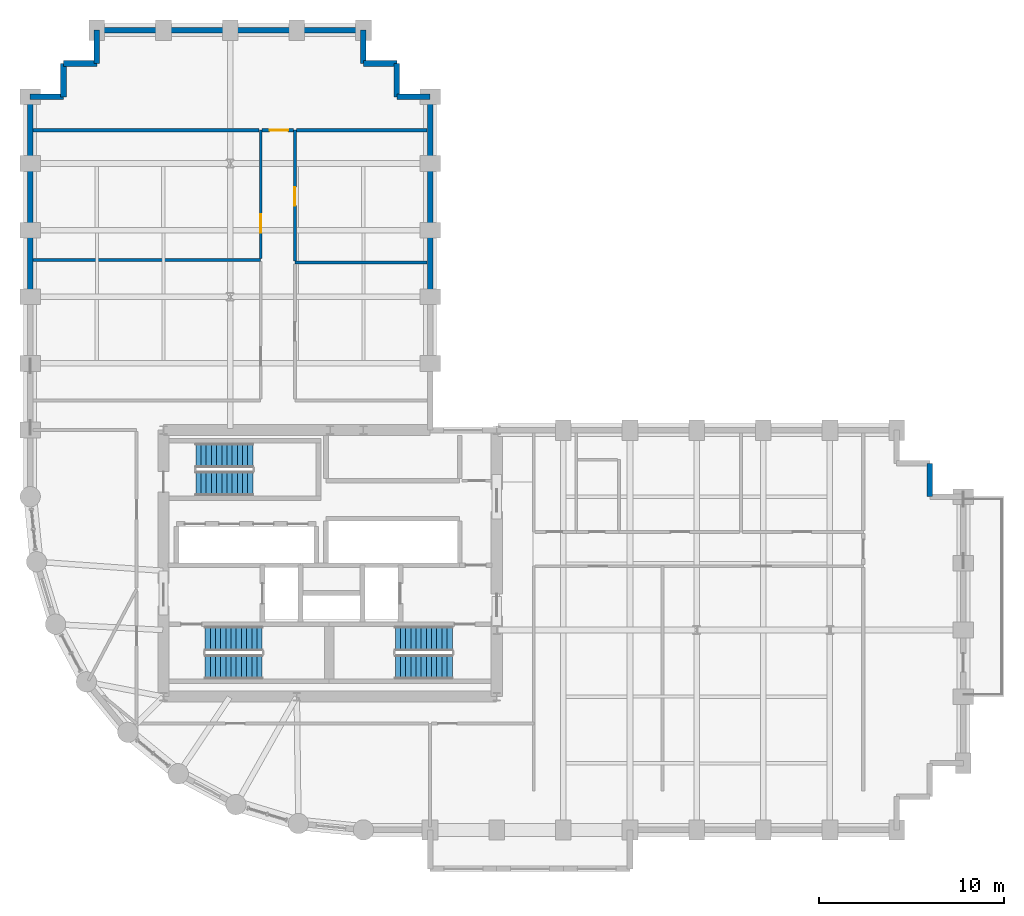
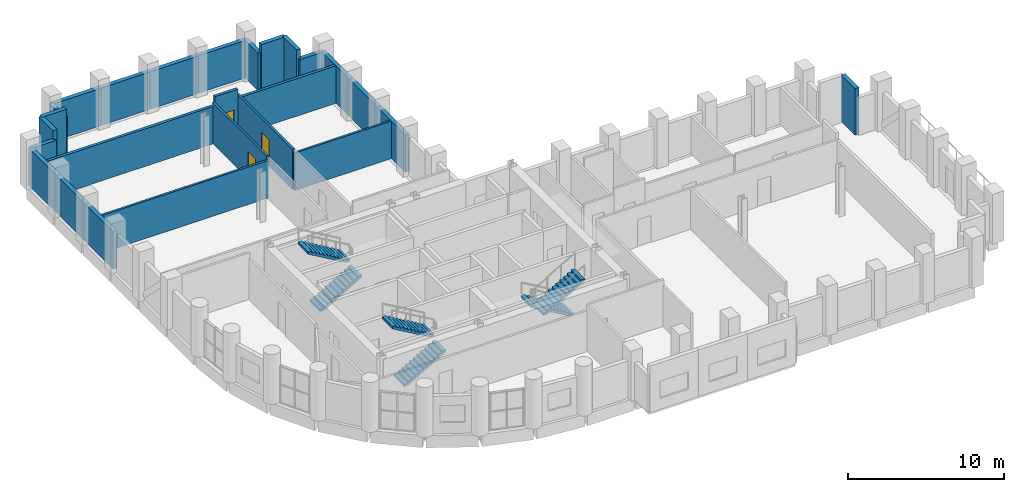
# One storey, part 9 of 11: 26 walls, 6 stair flights, 3 doors, 3 openings, 3 elements without a shape of their own.
"""IFC4 building model written with IfcOpenShell, lengths in metres."""

from ifc_helpers import new_model, si_unit, direction, frame, frame_2d, origin, place, context, subcontext, project, spatial, polyline, rectangle, outline, extrude, material, layer, layer_set, type_object, element, fill, aggregate, save


model = new_model("IFC4")

# Units and contexts
model_context = context("Model", 3, precision=1e-05, world=origin(), true_north=direction((0.0, 1.0)))
body_context = subcontext(model_context, "Body", "Model", "MODEL_VIEW")
ifc_project = project(units=[si_unit("LENGTHUNIT", "METRE"), si_unit("AREAUNIT", "SQUARE_METRE"), si_unit("VOLUMEUNIT", "CUBIC_METRE"), si_unit("PLANEANGLEUNIT", "RADIAN"), si_unit("MASSUNIT", "GRAM", prefix="KILO")], contexts=[model_context])

# Site, building, storey
site_placement = place(None, origin())
site = spatial("IfcSite", under=ifc_project, at=site_placement, CompositionType="ELEMENT")
building_placement = place(site_placement, origin())
building = spatial("IfcBuilding", under=site, at=building_placement, Name="Solnavia Interchange Tower", CompositionType="ELEMENT")
storey_placement = place(building_placement, frame((0.0, 0.0, 99.60009765625)))
storey = spatial("IfcBuildingStorey", under=building, at=storey_placement, Name="L24", CompositionType="ELEMENT", Elevation=99.60009765625)

# Walls
ifc_material_1 = material(Name="Gypsum Acoustic Twin-Stud & Mineral Wool", Category="gypsum")
ifc_layer_1 = layer(ifc_material_1, 0.199951171875)
ifc_layer_set_1 = layer_set([ifc_layer_1], Name="Gypsum Acoustic Twin-Stud & Mineral Wool")
wall_type_1 = type_object("IfcWallType", Name="Wall-ApartmentParty-200", PredefinedType="PARTITIONING", material=ifc_layer_set_1)
wall_1_placement = place(storey_placement, frame((7.35400390625, 41.39990234375, 0.0), z_axis=(0.0, 0.0, 1.0), x_axis=(1.0, 0.0, 0.0)))
element("IfcWall", 1, at=wall_1_placement, inside=storey, type_object=wall_type_1, Name="PTW-L24-33 Interior partition wall", PredefinedType="PARTITIONING", context=body_context, shape_type="SweptSolid", body=[
    extrude(rectangle(XDim=12.217041015625, YDim=0.199951171875, at=frame_2d((6.1083984375, 0.0))), origin(), (0.0, 0.0, 1.0), 2.929931640625),
])
wall_2_placement = place(storey_placement, frame((21.5791015625, 41.39990234375, 0.0), z_axis=(0.0, 0.0, 1.0), x_axis=(1.0, 0.0, 0.0)))
element("IfcWall", 2, at=wall_2_placement, inside=storey, type_object=wall_type_1, Name="PTW-L24-34 Interior partition wall", PredefinedType="PARTITIONING", context=body_context, shape_type="SweptSolid", body=[
    extrude(rectangle(XDim=7.06689453125, YDim=0.199951171875, at=frame_2d((3.533447265625, 0.0))), origin(), (0.0, 0.0, 1.0), 2.929931640625),
])

# Wall, opening, door
wall_3_placement = place(storey_placement, frame((19.72900390625, 41.39990234375, 0.0), z_axis=(0.0, 0.0, 1.0), x_axis=(1.0, 0.0, 0.0)))
wall_3 = element("IfcWall", 3, at=wall_3_placement, inside=storey, type_object=wall_type_1, Name="PTW-L24-35 Interior partition wall", PredefinedType="PARTITIONING", context=body_context, shape_type="SweptSolid", body=[
    extrude(rectangle(XDim=1.69189453125, YDim=0.199951171875, at=frame_2d((0.845947265625, 0.0))), origin(), (0.0, 0.0, 1.0), 3.635009765625),
])
opening_1_placement = place(wall_3_placement, frame((0.405029296875, 0.0, 0.0)))
opening_1 = element("IfcOpeningElement", 4, at=opening_1_placement, cuts=wall_3, Name="Opening DR-06", PredefinedType="OPENING", context=body_context, shape_type="SweptSolid", body=[
    extrude(rectangle(XDim=1.0, YDim=2.10009765625, at=frame_2d((0.5, 1.050048828125))), frame((0.0, 0.10986328125, 0.0), z_axis=(0.0, -1.0, 0.0), x_axis=(1.0, 0.0, 0.0)), (0.0, 0.0, 1.0), 0.219970703125),
])
ifc_material_2 = material(Name="Engineered Timber Acoustic Fire Door", Category="wood")
door_type_1 = type_object("IfcDoorType", Name="Door-FlatEntry-1000x2100", OperationType="SINGLE_SWING_LEFT", PredefinedType="DOOR", material=ifc_material_2)
door_1_placement = place(opening_1_placement, origin())
door_1 = element("IfcDoor", 5, at=door_1_placement, inside=storey, type_object=door_type_1, Name="DR-L24-16 Interior room door", OperationType="SINGLE_SWING_LEFT", OverallHeight=2.10009765625, OverallWidth=1.0, PredefinedType="DOOR", context=body_context, shape_type="SweptSolid", body=[
    extrude(rectangle(XDim=1.0, YDim=2.10009765625, at=frame_2d((0.5, 1.050048828125))), frame((0.0, 0.02490234375, 0.0), z_axis=(0.0, -1.0, 0.0), x_axis=(1.0, 0.0, 0.0)), (0.0, 0.0, 1.0), 0.050048828125),
])
fill(opening_1, door_1)

# Walls
ifc_material_3 = material(Name="Concrete C40/50", Category="concrete")
ifc_layer_2 = layer(ifc_material_3, 0.300048828125)
ifc_layer_set_2 = layer_set([ifc_layer_2], Name="Concrete C40/50")
wall_type_2 = type_object("IfcWallType", Name="Wall-ExtSpandrel-300", PredefinedType="STANDARD", material=ifc_layer_set_2)
wall_4_placement = place(storey_placement, frame((55.800048828125, 23.39990234375, 0.0), z_axis=(0.0, 0.0, 1.0), x_axis=(0.0, -1.0, 0.0)))
element("IfcWall", 6, at=wall_4_placement, inside=storey, type_object=wall_type_2, Name="EXW-L24-20 Exterior precast spandrel wall", PredefinedType="STANDARD", context=body_context, shape_type="SweptSolid", body=[
    extrude(rectangle(XDim=1.7998046875, YDim=0.300048828125, at=frame_2d((0.89990234375, 0.0))), origin(), (0.0, 0.0, 1.0), 3.635009765625),
])
for number, where, z_axis, x_axis, name in (
    (7, (28.800048828125, 36.0, 0.0), (0.0, 0.0, 1.0), (0.0, -1.0, 0.0), "EXW-L24-32 Exterior precast spandrel wall"),
    (8, (28.800048828125, 39.60009765625, 0.0), (0.0, 0.0, 1.0), (0.0, -1.0, 0.0), "EXW-L24-33 Exterior precast spandrel wall"),
):
    element("IfcWall", number, at=place(storey_placement, frame(where, z_axis=z_axis, x_axis=x_axis)), inside=storey, type_object=wall_type_2, Name=name, PredefinedType="STANDARD", context=body_context, shape_type="SweptSolid", body=[
        extrude(rectangle(XDim=3.60009765625, YDim=0.300048828125, at=frame_2d((1.800048828125, 0.0))), origin(), (0.0, 0.0, 1.0), 2.929931640625),
    ])
wall_5_placement = place(storey_placement, frame((28.800048828125, 43.199951171875, 0.0), z_axis=(0.0, 0.0, 1.0), x_axis=(0.0, -1.0, 0.0)))
element("IfcWall", 9, at=wall_5_placement, inside=storey, type_object=wall_type_2, Name="EXW-L24-34 Exterior precast spandrel wall", PredefinedType="STANDARD", context=body_context, shape_type="SweptSolid", body=[
    extrude(rectangle(XDim=3.599853515625, YDim=0.300048828125, at=frame_2d((1.7998046875, 0.0))), origin(), (0.0, 0.0, 1.0), 2.929931640625),
])
wall_6_placement = place(storey_placement, frame((27.0, 43.199951171875, 0.0), z_axis=(0.0, 0.0, 1.0), x_axis=(1.0, 0.0, 0.0)))
element("IfcWall", 10, at=wall_6_placement, inside=storey, type_object=wall_type_2, Name="EXW-L24-35 Exterior precast spandrel wall", PredefinedType="STANDARD", context=body_context, shape_type="SweptSolid", body=[
    extrude(rectangle(XDim=1.800048828125, YDim=0.300048828125, at=frame_2d((0.89990234375, 0.0))), origin(), (0.0, 0.0, 1.0), 2.929931640625),
])
for number, where, z_axis, x_axis, name in (
    (11, (27.0, 43.199951171875, 0.0), (0.0, 0.0, 1.0), (0.0, 1.0, 0.0), "EXW-L24-36 Exterior precast spandrel wall"),
    (12, (25.199951171875, 45.0, 0.0), (0.0, 0.0, 1.0), (1.0, 0.0, 0.0), "EXW-L24-37 Exterior precast spandrel wall"),
):
    element("IfcWall", number, at=place(storey_placement, frame(where, z_axis=z_axis, x_axis=x_axis)), inside=storey, type_object=wall_type_2, Name=name, PredefinedType="STANDARD", context=body_context, shape_type="SweptSolid", body=[
        extrude(rectangle(XDim=1.800048828125, YDim=0.300048828125, at=frame_2d((0.89990234375, 0.0))), origin(), (0.0, 0.0, 1.0), 3.635009765625),
    ])
wall_7_placement = place(storey_placement, frame((25.199951171875, 45.0, 0.0), z_axis=(0.0, 0.0, 1.0), x_axis=(0.0, 1.0, 0.0)))
element("IfcWall", 13, at=wall_7_placement, inside=storey, type_object=wall_type_2, Name="EXW-L24-38 Exterior precast spandrel wall", PredefinedType="STANDARD", context=body_context, shape_type="SweptSolid", body=[
    extrude(rectangle(XDim=1.800048828125, YDim=0.300048828125, at=frame_2d((0.89990234375, 0.0))), origin(), (0.0, 0.0, 1.0), 2.929931640625),
])
wall_8_placement = place(storey_placement, frame((21.60009765625, 46.800048828125, 0.0), z_axis=(0.0, 0.0, 1.0), x_axis=(1.0, 0.0, 0.0)))
element("IfcWall", 14, at=wall_8_placement, inside=storey, type_object=wall_type_2, Name="EXW-L24-39 Exterior precast spandrel wall", PredefinedType="STANDARD", context=body_context, shape_type="SweptSolid", body=[
    extrude(rectangle(XDim=3.599853515625, YDim=0.300048828125, at=frame_2d((1.7998046875, 0.0))), origin(), (0.0, 0.0, 1.0), 2.929931640625),
])
for number, where, z_axis, x_axis, name in (
    (15, (18.0, 46.800048828125, 0.0), (0.0, 0.0, 1.0), (1.0, 0.0, 0.0), "EXW-L24-40 Exterior precast spandrel wall"),
    (16, (14.39990234375, 46.800048828125, 0.0), (0.0, 0.0, 1.0), (1.0, 0.0, 0.0), "EXW-L24-41 Exterior precast spandrel wall"),
):
    element("IfcWall", number, at=place(storey_placement, frame(where, z_axis=z_axis, x_axis=x_axis)), inside=storey, type_object=wall_type_2, Name=name, PredefinedType="STANDARD", context=body_context, shape_type="SweptSolid", body=[
        extrude(rectangle(XDim=3.60009765625, YDim=0.300048828125, at=frame_2d((1.800048828125, 0.0))), origin(), (0.0, 0.0, 1.0), 2.929931640625),
    ])
wall_9_placement = place(storey_placement, frame((10.800048828125, 46.800048828125, 0.0), z_axis=(0.0, 0.0, 1.0), x_axis=(1.0, 0.0, 0.0)))
element("IfcWall", 17, at=wall_9_placement, inside=storey, type_object=wall_type_2, Name="EXW-L24-42 Exterior precast spandrel wall", PredefinedType="STANDARD", context=body_context, shape_type="SweptSolid", body=[
    extrude(rectangle(XDim=3.599853515625, YDim=0.300048828125, at=frame_2d((1.7998046875, 0.0))), origin(), (0.0, 0.0, 1.0), 2.929931640625),
])
wall_10_placement = place(storey_placement, frame((10.800048828125, 45.0, 0.0), z_axis=(0.0, 0.0, 1.0), x_axis=(0.0, 1.0, 0.0)))
element("IfcWall", 18, at=wall_10_placement, inside=storey, type_object=wall_type_2, Name="EXW-L24-43 Exterior precast spandrel wall", PredefinedType="STANDARD", context=body_context, shape_type="SweptSolid", body=[
    extrude(rectangle(XDim=1.800048828125, YDim=0.300048828125, at=frame_2d((0.89990234375, 0.0))), origin(), (0.0, 0.0, 1.0), 2.929931640625),
])
for number, where, z_axis, x_axis, name in (
    (19, (9.0, 45.0, 0.0), (0.0, 0.0, 1.0), (1.0, 0.0, 0.0), "EXW-L24-44 Exterior precast spandrel wall"),
    (20, (9.0, 43.199951171875, 0.0), (0.0, 0.0, 1.0), (0.0, 1.0, 0.0), "EXW-L24-45 Exterior precast spandrel wall"),
):
    element("IfcWall", number, at=place(storey_placement, frame(where, z_axis=z_axis, x_axis=x_axis)), inside=storey, type_object=wall_type_2, Name=name, PredefinedType="STANDARD", context=body_context, shape_type="SweptSolid", body=[
        extrude(rectangle(XDim=1.800048828125, YDim=0.300048828125, at=frame_2d((0.89990234375, 0.0))), origin(), (0.0, 0.0, 1.0), 3.635009765625),
    ])
wall_11_placement = place(storey_placement, frame((7.199951171875, 43.199951171875, 0.0), z_axis=(0.0, 0.0, 1.0), x_axis=(1.0, 0.0, 0.0)))
element("IfcWall", 21, at=wall_11_placement, inside=storey, type_object=wall_type_2, Name="EXW-L24-46 Exterior precast spandrel wall", PredefinedType="STANDARD", context=body_context, shape_type="SweptSolid", body=[
    extrude(rectangle(XDim=1.800048828125, YDim=0.300048828125, at=frame_2d((0.89990234375, 0.0))), origin(), (0.0, 0.0, 1.0), 2.929931640625),
])
wall_12_placement = place(storey_placement, frame((7.199951171875, 39.60009765625, 0.0), z_axis=(0.0, 0.0, 1.0), x_axis=(0.0, 1.0, 0.0)))
element("IfcWall", 22, at=wall_12_placement, inside=storey, type_object=wall_type_2, Name="EXW-L24-47 Exterior precast spandrel wall", PredefinedType="STANDARD", context=body_context, shape_type="SweptSolid", body=[
    extrude(rectangle(XDim=3.599853515625, YDim=0.300048828125, at=frame_2d((1.7998046875, 0.0))), origin(), (0.0, 0.0, 1.0), 2.929931640625),
])
for number, where, z_axis, x_axis, name in (
    (23, (7.199951171875, 36.0, 0.0), (0.0, 0.0, 1.0), (0.0, 1.0, 0.0), "EXW-L24-48 Exterior precast spandrel wall"),
    (24, (7.199951171875, 32.39990234375, 0.0), (0.0, 0.0, 1.0), (0.0, 1.0, 0.0), "EXW-L24-49 Exterior precast spandrel wall"),
):
    element("IfcWall", number, at=place(storey_placement, frame(where, z_axis=z_axis, x_axis=x_axis)), inside=storey, type_object=wall_type_2, Name=name, PredefinedType="STANDARD", context=body_context, shape_type="SweptSolid", body=[
        extrude(rectangle(XDim=3.60009765625, YDim=0.300048828125, at=frame_2d((1.800048828125, 0.0))), origin(), (0.0, 0.0, 1.0), 2.929931640625),
    ])
ifc_material_4 = material(Name="Gypsum Plasterboard & Steel Stud", Category="steel")
ifc_layer_3 = layer(ifc_material_4, 0.14990234375)
ifc_layer_set_3 = layer_set([ifc_layer_3], Name="Gypsum Plasterboard & Steel Stud")
wall_type_3 = type_object("IfcWallType", Name="Wall-Partition-150", PredefinedType="PARTITIONING", material=ifc_layer_set_3)
wall_13_placement = place(storey_placement, frame((7.35400390625, 34.389892578125, 0.0), z_axis=(0.0, 0.0, 1.0), x_axis=(1.0, 0.0, 0.0)))
element("IfcWall", 25, at=wall_13_placement, inside=storey, type_object=wall_type_3, Name="PTW-L24-26 Interior partition wall", PredefinedType="PARTITIONING", context=body_context, shape_type="SweptSolid", body=[
    extrude(rectangle(XDim=12.2958984375, YDim=0.14990234375, at=frame_2d((6.14794921875, 0.0))), origin(), (0.0, 0.0, 1.0), 2.929931640625),
])

# Wall, opening, door
wall_14_placement = place(storey_placement, frame((19.64990234375, 34.468994140625, 0.0), z_axis=(0.0, 0.0, 1.0), x_axis=(0.0, 1.0, 0.0)))
wall_14 = element("IfcWall", 26, at=wall_14_placement, inside=storey, type_object=wall_type_3, Name="PTW-L24-28 Interior partition wall", PredefinedType="PARTITIONING", context=body_context, shape_type="SweptSolid", body=[
    extrude(rectangle(XDim=6.930908203125, YDim=0.14990234375, at=frame_2d((3.46533203125, 0.0))), origin(), (0.0, 0.0, 1.0), 3.18994140625),
])
opening_2_placement = place(wall_14_placement, frame((1.385986328125, 0.0, 0.0)))
opening_2 = element("IfcOpeningElement", 27, at=opening_2_placement, cuts=wall_14, Name="Opening DR-07", PredefinedType="OPENING", context=body_context, shape_type="SweptSolid", body=[
    extrude(rectangle(XDim=1.0, YDim=2.10009765625, at=frame_2d((0.5, 1.050048828125))), frame((0.0, 0.0849609375, 0.0), z_axis=(0.0, -1.0, 0.0), x_axis=(1.0, 0.0, 0.0)), (0.0, 0.0, 1.0), 0.169921875),
])
ifc_material_5 = material(Name="Timber & Acoustic Glazed Office Door", Category="wood")
door_type_2 = type_object("IfcDoorType", Name="Door-Office-1000x2100", OperationType="SINGLE_SWING_RIGHT", PredefinedType="DOOR", material=ifc_material_5)
door_2_placement = place(opening_2_placement, origin())
door_2 = element("IfcDoor", 28, at=door_2_placement, inside=storey, type_object=door_type_2, Name="DR-L24-13 Interior room door", OperationType="SINGLE_SWING_RIGHT", OverallHeight=2.10009765625, OverallWidth=1.0, PredefinedType="DOOR", context=body_context, shape_type="SweptSolid", body=[
    extrude(rectangle(XDim=1.0, YDim=2.10009765625, at=frame_2d((0.5, 1.050048828125))), frame((0.0, 0.02490234375, 0.0), z_axis=(0.0, -1.0, 0.0), x_axis=(1.0, 0.0, 0.0)), (0.0, 0.0, 1.0), 0.050048828125),
])
fill(opening_2, door_2)

# Wall
wall_15_placement = place(storey_placement, frame((21.5, 34.25, 0.0), z_axis=(0.0, 0.0, 1.0), x_axis=(1.0, 0.0, 0.0)))
element("IfcWall", 29, at=wall_15_placement, inside=storey, type_object=wall_type_3, Name="PTW-L24-30 Interior partition wall", PredefinedType="PARTITIONING", context=body_context, shape_type="SweptSolid", body=[
    extrude(rectangle(XDim=7.14599609375, YDim=0.14990234375, at=frame_2d((3.572998046875, 0.0))), origin(), (0.0, 0.0, 1.0), 2.929931640625),
])

# Wall, opening, door
wall_16_placement = place(storey_placement, frame((21.5, 34.3291015625, 0.0), z_axis=(0.0, 0.0, 1.0), x_axis=(0.0, 1.0, 0.0)))
wall_16 = element("IfcWall", 30, at=wall_16_placement, inside=storey, type_object=wall_type_3, Name="PTW-L24-32 Interior partition wall", PredefinedType="PARTITIONING", context=body_context, shape_type="SweptSolid", body=[
    extrude(rectangle(XDim=7.07080078125, YDim=0.14990234375, at=frame_2d((3.535400390625, 0.0))), origin(), (0.0, 0.0, 1.0), 3.179931640625),
])
opening_3_placement = place(wall_16_placement, frame((2.99609375, 0.0, 0.0)))
opening_3 = element("IfcOpeningElement", 31, at=opening_3_placement, cuts=wall_16, Name="Opening DR-07", PredefinedType="OPENING", context=body_context, shape_type="SweptSolid", body=[
    extrude(rectangle(XDim=1.0, YDim=2.10009765625, at=frame_2d((0.5, 1.050048828125))), frame((0.0, 0.0849609375, 0.0), z_axis=(0.0, -1.0, 0.0), x_axis=(1.0, 0.0, 0.0)), (0.0, 0.0, 1.0), 0.169921875),
])
door_3_placement = place(opening_3_placement, origin())
door_3 = element("IfcDoor", 32, at=door_3_placement, inside=storey, type_object=door_type_2, Name="DR-L24-15 Interior room door", OperationType="SINGLE_SWING_LEFT", OverallHeight=2.10009765625, OverallWidth=1.0, PredefinedType="DOOR", context=body_context, shape_type="SweptSolid", body=[
    extrude(rectangle(XDim=1.0, YDim=2.10009765625, at=frame_2d((0.5, 1.050048828125))), frame((0.0, 0.02490234375, 0.0), z_axis=(0.0, -1.0, 0.0), x_axis=(1.0, 0.0, 0.0)), (0.0, 0.0, 1.0), 0.050048828125),
])
fill(opening_3, door_3)

# Stair, stair flights
stair_type = type_object("IfcStairType", Name="Stair-Dogleg-RC", PredefinedType="HALF_TURN_STAIR", material=ifc_material_3)
stair_1_placement = place(storey_placement, origin())
stair_1 = element("IfcStair", 33, at=stair_1_placement, inside=storey, type_object=stair_type, Name="L24 Core exit stair 1", PredefinedType="HALF_TURN_STAIR")
stair_flight_type = type_object("IfcStairFlightType", Name="StairFlight-RC-150", PredefinedType="STRAIGHT", material=ifc_material_3)
stair_flight_1_placement = place(storey_placement, frame((16.64990234375, 12.409912109375, 0.0), z_axis=(0.0, 0.0, 1.0), x_axis=(1.0, 0.0, 0.0)))
stair_flight_1 = element("IfcStairFlight", 34, at=stair_flight_1_placement, type_object=stair_flight_type, Name="ST-1 flight 1", NumberOfRisers=12, NumberOfTreads=11, PredefinedType="STRAIGHT", RiserHeight=0.1625, TreadLength=0.28, context=body_context, shape_type="SweptSolid", body=[
    extrude(outline(polyline([(0.0, 0.0), (0.0, 0.16259765625), (0.280029296875, 0.16259765625), (0.280029296875, 0.324951171875), (0.56005859375, 0.324951171875), (0.56005859375, 0.487548828125), (0.840087890625, 0.487548828125), (0.840087890625, 0.64990234375), (1.1201171875, 0.64990234375), (1.1201171875, 0.8125), (1.39990234375, 0.8125), (1.39990234375, 0.97509765625), (1.679931640625, 0.97509765625), (1.679931640625, 1.137451171875), (1.9599609375, 1.137451171875), (1.9599609375, 1.300048828125), (2.239990234375, 1.300048828125), (2.239990234375, 1.46240234375), (2.52001953125, 1.46240234375), (2.52001953125, 1.625), (2.800048828125, 1.625), (2.800048828125, 1.78759765625), (3.080078125, 1.78759765625), (3.080078125, 1.949951171875), (3.080078125, 1.6142578125), (0.298583984375, 0.0), (0.0, 0.0)])), frame((0.0, 0.66015625, 0.0), z_axis=(0.0, -1.0, 0.0), x_axis=(1.0, 0.0, 0.0)), (0.0, 0.0, 1.0), 1.320068359375),
])
stair_flight_2_placement = place(storey_placement, frame((19.72998046875, 13.929931640625, 1.949951171875), z_axis=(0.0, 0.0, 1.0), x_axis=(-1.0, 0.0, 0.0)))
stair_flight_2 = element("IfcStairFlight", 35, at=stair_flight_2_placement, type_object=stair_flight_type, Name="ST-1 flight 2", NumberOfRisers=12, NumberOfTreads=11, PredefinedType="STRAIGHT", RiserHeight=0.1625, TreadLength=0.28, context=body_context, shape_type="SweptSolid", body=[
    extrude(outline(polyline([(0.0, 0.0), (0.0, 0.16259765625), (0.280029296875, 0.16259765625), (0.280029296875, 0.324951171875), (0.56005859375, 0.324951171875), (0.56005859375, 0.487548828125), (0.840087890625, 0.487548828125), (0.840087890625, 0.64990234375), (1.1201171875, 0.64990234375), (1.1201171875, 0.8125), (1.39990234375, 0.8125), (1.39990234375, 0.97509765625), (1.679931640625, 0.97509765625), (1.679931640625, 1.137451171875), (1.9599609375, 1.137451171875), (1.9599609375, 1.300048828125), (2.239990234375, 1.300048828125), (2.239990234375, 1.46240234375), (2.52001953125, 1.46240234375), (2.52001953125, 1.625), (2.800048828125, 1.625), (2.800048828125, 1.78759765625), (3.080078125, 1.78759765625), (3.080078125, 1.949951171875), (3.080078125, 1.6142578125), (0.298583984375, 0.0), (0.0, 0.0)])), frame((0.0, 0.66015625, 0.0), z_axis=(0.0, -1.0, 0.0), x_axis=(1.0, 0.0, 0.0)), (0.0, 0.0, 1.0), 1.320068359375),
])
aggregate(stair_1, [stair_flight_1, stair_flight_2])

stair_2_placement = place(storey_placement, origin())
stair_2 = element("IfcStair", 36, at=stair_2_placement, inside=storey, type_object=stair_type, Name="L24 Core exit stair 2", PredefinedType="HALF_TURN_STAIR")
stair_flight_3_placement = place(storey_placement, frame((30.0, 13.929931640625, 0.0), z_axis=(0.0, 0.0, 1.0), x_axis=(-1.0, 0.0, 0.0)))
stair_flight_3 = element("IfcStairFlight", 37, at=stair_flight_3_placement, type_object=stair_flight_type, Name="ST-2 flight 1", NumberOfRisers=12, NumberOfTreads=11, PredefinedType="STRAIGHT", RiserHeight=0.1625, TreadLength=0.28, context=body_context, shape_type="SweptSolid", body=[
    extrude(outline(polyline([(0.0, 0.0), (0.0, 0.16259765625), (0.280029296875, 0.16259765625), (0.280029296875, 0.324951171875), (0.56005859375, 0.324951171875), (0.56005859375, 0.487548828125), (0.840087890625, 0.487548828125), (0.840087890625, 0.64990234375), (1.1201171875, 0.64990234375), (1.1201171875, 0.8125), (1.39990234375, 0.8125), (1.39990234375, 0.97509765625), (1.679931640625, 0.97509765625), (1.679931640625, 1.137451171875), (1.9599609375, 1.137451171875), (1.9599609375, 1.300048828125), (2.239990234375, 1.300048828125), (2.239990234375, 1.46240234375), (2.52001953125, 1.46240234375), (2.52001953125, 1.625), (2.800048828125, 1.625), (2.800048828125, 1.78759765625), (3.080078125, 1.78759765625), (3.080078125, 1.949951171875), (3.080078125, 1.6142578125), (0.298583984375, 0.0), (0.0, 0.0)])), frame((0.0, 0.66015625, 0.0), z_axis=(0.0, -1.0, 0.0), x_axis=(1.0, 0.0, 0.0)), (0.0, 0.0, 1.0), 1.320068359375),
])
stair_flight_4_placement = place(storey_placement, frame((26.919921875, 12.409912109375, 1.949951171875), z_axis=(0.0, 0.0, 1.0), x_axis=(1.0, 0.0, 0.0)))
stair_flight_4 = element("IfcStairFlight", 38, at=stair_flight_4_placement, type_object=stair_flight_type, Name="ST-2 flight 2", NumberOfRisers=12, NumberOfTreads=11, PredefinedType="STRAIGHT", RiserHeight=0.1625, TreadLength=0.28, context=body_context, shape_type="SweptSolid", body=[
    extrude(outline(polyline([(0.0, 0.0), (0.0, 0.16259765625), (0.280029296875, 0.16259765625), (0.280029296875, 0.324951171875), (0.56005859375, 0.324951171875), (0.56005859375, 0.487548828125), (0.840087890625, 0.487548828125), (0.840087890625, 0.64990234375), (1.1201171875, 0.64990234375), (1.1201171875, 0.8125), (1.39990234375, 0.8125), (1.39990234375, 0.97509765625), (1.679931640625, 0.97509765625), (1.679931640625, 1.137451171875), (1.9599609375, 1.137451171875), (1.9599609375, 1.300048828125), (2.239990234375, 1.300048828125), (2.239990234375, 1.46240234375), (2.52001953125, 1.46240234375), (2.52001953125, 1.625), (2.800048828125, 1.625), (2.800048828125, 1.78759765625), (3.080078125, 1.78759765625), (3.080078125, 1.949951171875), (3.080078125, 1.6142578125), (0.298583984375, 0.0), (0.0, 0.0)])), frame((0.0, 0.66015625, 0.0), z_axis=(0.0, -1.0, 0.0), x_axis=(1.0, 0.0, 0.0)), (0.0, 0.0, 1.0), 1.320068359375),
])
aggregate(stair_2, [stair_flight_3, stair_flight_4])

stair_3_placement = place(storey_placement, origin())
stair_3 = element("IfcStair", 39, at=stair_3_placement, inside=storey, type_object=stair_type, Name="L24 Core exit stair 3", PredefinedType="HALF_TURN_STAIR")
stair_flight_5_placement = place(storey_placement, frame((16.14990234375, 22.31005859375, 0.0), z_axis=(0.0, 0.0, 1.0), x_axis=(1.0, 0.0, 0.0)))
stair_flight_5 = element("IfcStairFlight", 40, at=stair_flight_5_placement, type_object=stair_flight_type, Name="ST-3 flight 1", NumberOfRisers=12, NumberOfTreads=11, PredefinedType="STRAIGHT", RiserHeight=0.1625, TreadLength=0.28, context=body_context, shape_type="SweptSolid", body=[
    extrude(outline(polyline([(0.0, 0.0), (0.0, 0.16259765625), (0.280029296875, 0.16259765625), (0.280029296875, 0.324951171875), (0.56005859375, 0.324951171875), (0.56005859375, 0.487548828125), (0.840087890625, 0.487548828125), (0.840087890625, 0.64990234375), (1.1201171875, 0.64990234375), (1.1201171875, 0.8125), (1.39990234375, 0.8125), (1.39990234375, 0.97509765625), (1.679931640625, 0.97509765625), (1.679931640625, 1.137451171875), (1.9599609375, 1.137451171875), (1.9599609375, 1.300048828125), (2.239990234375, 1.300048828125), (2.239990234375, 1.46240234375), (2.52001953125, 1.46240234375), (2.52001953125, 1.625), (2.800048828125, 1.625), (2.800048828125, 1.78759765625), (3.080078125, 1.78759765625), (3.080078125, 1.949951171875), (3.080078125, 1.6142578125), (0.298583984375, 0.0), (0.0, 0.0)])), frame((0.0, 0.66015625, 0.0), z_axis=(0.0, -1.0, 0.0), x_axis=(1.0, 0.0, 0.0)), (0.0, 0.0, 1.0), 1.320068359375),
])
stair_flight_6_placement = place(storey_placement, frame((19.22998046875, 23.830078125, 1.949951171875), z_axis=(0.0, 0.0, 1.0), x_axis=(-1.0, 0.0, 0.0)))
stair_flight_6 = element("IfcStairFlight", 41, at=stair_flight_6_placement, type_object=stair_flight_type, Name="ST-3 flight 2", NumberOfRisers=12, NumberOfTreads=11, PredefinedType="STRAIGHT", RiserHeight=0.1625, TreadLength=0.28, context=body_context, shape_type="SweptSolid", body=[
    extrude(outline(polyline([(0.0, 0.0), (0.0, 0.16259765625), (0.280029296875, 0.16259765625), (0.280029296875, 0.324951171875), (0.56005859375, 0.324951171875), (0.56005859375, 0.487548828125), (0.840087890625, 0.487548828125), (0.840087890625, 0.64990234375), (1.1201171875, 0.64990234375), (1.1201171875, 0.8125), (1.39990234375, 0.8125), (1.39990234375, 0.97509765625), (1.679931640625, 0.97509765625), (1.679931640625, 1.137451171875), (1.9599609375, 1.137451171875), (1.9599609375, 1.300048828125), (2.239990234375, 1.300048828125), (2.239990234375, 1.46240234375), (2.52001953125, 1.46240234375), (2.52001953125, 1.625), (2.800048828125, 1.625), (2.800048828125, 1.78759765625), (3.080078125, 1.78759765625), (3.080078125, 1.949951171875), (3.080078125, 1.6142578125), (0.298583984375, 0.0), (0.0, 0.0)])), frame((0.0, 0.66015625, 0.0), z_axis=(0.0, -1.0, 0.0), x_axis=(1.0, 0.0, 0.0)), (0.0, 0.0, 1.0), 1.320068359375),
])
aggregate(stair_3, [stair_flight_5, stair_flight_6])

save(model, "model.ifc")
